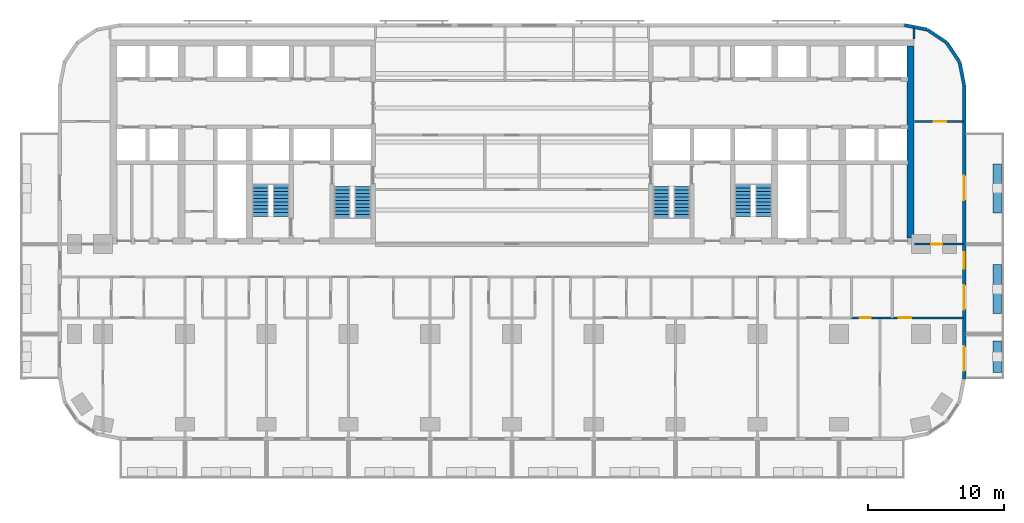
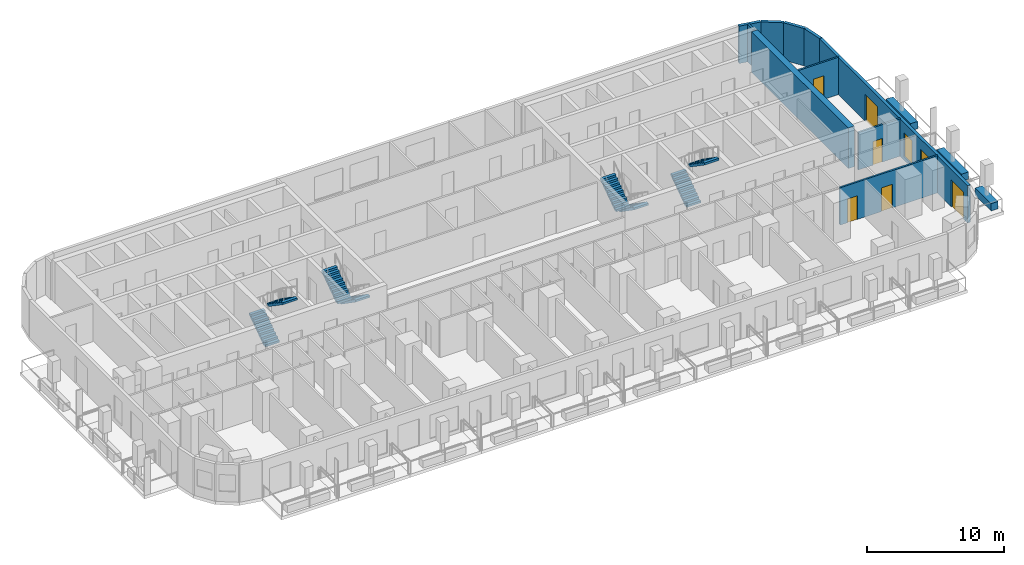
# One storey, part 10 of 15: 13 walls, 8 stair flights, 7 doors, 1 window, 8 openings, 4 elements without a shape of their own.
"""IFC4 building model written with IfcOpenShell, lengths in metres."""

import ifcopenshell
import ifcopenshell.guid

model = None  # the IFC model being written
_history = None  # IfcOwnerHistory: only IFC2X3 demands one
_inside = {}  # id of a spatial element -> (the spatial element, [elements in it])
_under = {}  # id of a project, library or spatial element -> (it, [spatial elements below it])
_declared = {}  # id of a project -> (the project, [libraries it declares])
_typed = {}  # id of a type object -> (the type object, [elements of that type])
_made_of = {}  # id of a material, layer set ... -> (it, [elements and type objects made of it])


def new_model(schema):
    """Start an empty IFC model of exactly this schema.

    Asked for "IFC4X3", IfcOpenShell would pick the latest addendum, in which some entities
    have other attributes; the version numbers below select the first issue.
    IFC2X3 requires an IfcOwnerHistory on every rooted entity: one is made here for all.
    """
    global model, _history
    if schema == "IFC4X3":
        model = ifcopenshell.file(schema_version=(4, 3, 0, 0))
    else:
        model = ifcopenshell.file(schema=schema)
    _inside.clear()
    _under.clear()
    _declared.clear()
    _typed.clear()
    _made_of.clear()
    _history = None
    if model.schema == "IFC2X3":
        org = make("IfcOrganization", Name="unknown")
        user = make(
            "IfcPersonAndOrganization",
            ThePerson=make("IfcPerson", FamilyName="unknown"),
            TheOrganization=org,
        )
        app = make(
            "IfcApplication",
            ApplicationDeveloper=org,
            Version="unknown",
            ApplicationFullName="unknown",
            ApplicationIdentifier="unknown",
        )
        _history = make(
            "IfcOwnerHistory",
            OwningUser=user,
            OwningApplication=app,
            ChangeAction="ADDED",
            CreationDate=0,
        )
    return model


def make(cls, **values):
    """One entity of the class cls with the attributes given. An attribute that is None is left unset."""
    return model.create_entity(
        cls, **{name: value for name, value in values.items() if value is not None}
    )


def rooted(cls, **values):
    """An entity with a GlobalId (a new one), such as an element, a storey or a relation."""
    return make(cls, GlobalId=ifcopenshell.guid.new(), OwnerHistory=_history, **values)


def si_unit(unit_type, name, prefix=None):
    """IfcSIUnit, for example si_unit("LENGTHUNIT", "METRE", prefix="MILLI")."""
    return make("IfcSIUnit", UnitType=unit_type, Prefix=prefix, Name=name)


def assignment(units):
    """IfcUnitAssignment: the units of a project."""
    return None if units is None else make("IfcUnitAssignment", Units=units)


def point(xyz):
    """IfcCartesianPoint."""
    return None if xyz is None else make("IfcCartesianPoint", Coordinates=xyz)


def direction(xyz):
    """IfcDirection."""
    return None if xyz is None else make("IfcDirection", DirectionRatios=xyz)


def frame(location, z_axis=None, x_axis=None):
    """IfcAxis2Placement3D, a coordinate frame: its origin and axes. An axis left out is left unset."""
    return make(
        "IfcAxis2Placement3D",
        Location=point(location),
        Axis=direction(z_axis),
        RefDirection=direction(x_axis),
    )


def frame_2d(location, x_axis=None):
    """IfcAxis2Placement2D, a coordinate frame in the plane: its origin and x axis."""
    return make(
        "IfcAxis2Placement2D", Location=point(location), RefDirection=direction(x_axis)
    )


def origin():
    """The frame at (0, 0, 0) with its axes left unset."""
    return frame((0.0, 0.0, 0.0))


def place(relative_to, where):
    """IfcLocalPlacement: puts the frame where relative to a parent placement (None: the world)."""
    return make(
        "IfcLocalPlacement", PlacementRelTo=relative_to, RelativePlacement=where
    )


def context(
    kind, dimensions, precision=None, world=None, true_north=None, identifier=None
):
    """IfcGeometricRepresentationContext, for example the 3D "Model" context."""
    return make(
        "IfcGeometricRepresentationContext",
        ContextIdentifier=identifier,
        ContextType=kind,
        CoordinateSpaceDimension=dimensions,
        Precision=precision,
        WorldCoordinateSystem=world,
        TrueNorth=true_north,
    )


def subcontext(parent, identifier, kind, view, scale=None):
    """IfcGeometricRepresentationSubContext, for example "Body" below "Model"."""
    return make(
        "IfcGeometricRepresentationSubContext",
        ContextIdentifier=identifier,
        ContextType=kind,
        ParentContext=parent,
        TargetScale=scale,
        TargetView=view,
    )


def project(units=None, contexts=None):
    """IfcProject with its units and contexts."""
    return rooted(
        "IfcProject",
        Name="project",
        RepresentationContexts=contexts,
        UnitsInContext=assignment(units),
    )


def spatial(cls, under=None, at=None, **own):
    """A site, building, storey or space (cls), placed at a placement, below another one or the project."""
    s = rooted(cls, ObjectPlacement=at, **own)
    if under is not None:
        _under.setdefault(under.id(), (under, []))[1].append(s)
    return s


def polyline(points):
    """IfcPolyline through the points."""
    return make("IfcPolyline", Points=[point(p) for p in points])


def profile(cls, at=None, kind="AREA", **sizes):
    """A parametric profile (cls). Its sizes go by their IFC names, for example OverallWidth=200.0."""
    return make(cls, ProfileType=kind, Position=at, **sizes)


def rectangle(**sizes):
    """IfcRectangleProfileDef."""
    return profile("IfcRectangleProfileDef", **sizes)


def outline(outer, holes=None, kind="AREA"):
    """IfcArbitraryClosedProfileDef: a profile drawn as a closed curve; with holes, ...WithVoids."""
    if holes is None:
        return make("IfcArbitraryClosedProfileDef", ProfileType=kind, OuterCurve=outer)
    return make(
        "IfcArbitraryProfileDefWithVoids",
        ProfileType=kind,
        OuterCurve=outer,
        InnerCurves=holes,
    )


def extrude(swept, where, along, depth):
    """IfcExtrudedAreaSolid: the profile swept, set in the frame where, extruded along a direction by depth."""
    return make(
        "IfcExtrudedAreaSolid",
        SweptArea=swept,
        Position=where,
        ExtrudedDirection=direction(along),
        Depth=depth,
    )


def shape(context_of_items, identifier, shape_type, items):
    """IfcShapeRepresentation: the items that make up one representation, for example the "Body"."""
    return make(
        "IfcShapeRepresentation",
        ContextOfItems=context_of_items,
        RepresentationIdentifier=identifier,
        RepresentationType=shape_type,
        Items=items,
    )


def material(Name=None, Category=None):
    """IfcMaterial."""
    return make("IfcMaterial", Name=Name, Category=Category)


def layer(
    of_material, thickness, ventilated=None, Name=None, Category=None, Priority=None
):
    """IfcMaterialLayer: one layer of a wall or slab, of a material (None: an air gap)."""
    return make(
        "IfcMaterialLayer",
        Material=of_material,
        LayerThickness=thickness,
        IsVentilated=ventilated,
        Name=Name,
        Category=Category,
        Priority=Priority,
    )


def layer_set(layers, Name=None):
    """IfcMaterialLayerSet."""
    return make("IfcMaterialLayerSet", MaterialLayers=layers, LayerSetName=Name)


def made_of(thing, what):
    """Note that an element or type object is made of a material, layer set ...; save() writes the relation."""
    if what is not None:
        _made_of.setdefault(what.id(), (what, []))[1].append(thing)
    return thing


def type_object(cls, material=None, **own):
    """A type object (cls), such as IfcWallType, which elements share."""
    return made_of(rooted(cls, **own), material)


def element(
    cls,
    number,
    at=None,
    inside=None,
    cuts=None,
    type_object=None,
    material=None,
    context=None,
    identifier="Body",
    shape_type=None,
    held_by="IfcProductDefinitionShape",
    body=None,
    shapes=None,
    **own,
):
    """One element of the class cls, such as IfcWall. Its Tag is "e" and its number.

    at: its placement. inside: the storey or other place that contains it. cuts: it is an
    opening in that element (IfcRelVoidsElement). A single representation is given by context,
    identifier, shape_type and body (its items); several are given by shapes. held_by: the class
    of the entity that holds the representations. save() writes the other relations.
    """
    e = rooted(cls, Tag="e%d" % number, ObjectPlacement=at, **own)
    if body is not None:
        shapes = [shape(context, identifier, shape_type, body)]
    if shapes is not None:
        e.Representation = make(held_by, Representations=shapes)
    if inside is not None:
        _inside.setdefault(inside.id(), (inside, []))[1].append(e)
    if cuts is not None:
        rooted(
            "IfcRelVoidsElement", RelatingBuildingElement=cuts, RelatedOpeningElement=e
        )
    if type_object is not None:
        _typed.setdefault(type_object.id(), (type_object, []))[1].append(e)
    return made_of(e, material)


def fill(opening, filler):
    """IfcRelFillsElement: the door or window that sits in an opening."""
    return rooted(
        "IfcRelFillsElement",
        RelatingOpeningElement=opening,
        RelatedBuildingElement=filler,
    )


def aggregate(whole, parts):
    """IfcRelAggregates: a whole, such as a stair, and the parts it consists of."""
    return rooted("IfcRelAggregates", RelatingObject=whole, RelatedObjects=parts)


def save(model, path):
    """Write the relations noted so far, then the file.

    IfcRelAggregates (storeys below a building ...), IfcRelContainedInSpatialStructure (elements
    in a storey), IfcRelDefinesByType, IfcRelAssociatesMaterial and IfcRelDeclares: one each for
    every whole, place, type object, material and project.
    """
    for whole, parts in _under.values():
        aggregate(whole, parts)
    for where, things in _inside.values():
        rooted(
            "IfcRelContainedInSpatialStructure",
            RelatedElements=things,
            RelatingStructure=where,
        )
    for kind, things in _typed.values():
        rooted("IfcRelDefinesByType", RelatedObjects=things, RelatingType=kind)
    for what, things in _made_of.values():
        rooted("IfcRelAssociatesMaterial", RelatedObjects=things, RelatingMaterial=what)
    for by, libraries in _declared.values():
        rooted("IfcRelDeclares", RelatingContext=by, RelatedDefinitions=libraries)
    model.write(path)


model = new_model("IFC4")

# Units and contexts
model_context = context("Model", 3, precision=1e-05, world=origin(), true_north=direction((0.0, 1.0)))
body_context = subcontext(model_context, "Body", "Model", "MODEL_VIEW")
ifc_project = project(units=[si_unit("LENGTHUNIT", "METRE"), si_unit("AREAUNIT", "SQUARE_METRE"), si_unit("VOLUMEUNIT", "CUBIC_METRE"), si_unit("PLANEANGLEUNIT", "RADIAN"), si_unit("MASSUNIT", "GRAM", prefix="KILO")], contexts=[model_context])

# Site, building, storey
site_placement = place(None, origin())
site = spatial("IfcSite", under=ifc_project, at=site_placement, CompositionType="ELEMENT")
building_placement = place(site_placement, origin())
building = spatial("IfcBuilding", under=site, at=building_placement, Name="Torana Hotel and Residences", CompositionType="ELEMENT")
storey_placement = place(building_placement, frame((0.0, 0.0, 49.199951171875)))
storey = spatial("IfcBuildingStorey", under=building, at=storey_placement, Name="L11", CompositionType="ELEMENT", Elevation=49.199951171875)

# Walls
ifc_material_1 = material(Name="Concrete C80/95", Category="concrete")
ifc_layer_1 = layer(ifc_material_1, 0.5)
ifc_layer_set_1 = layer_set([ifc_layer_1], Name="CORE WALL 500 C80/95")
wall_type_1 = type_object("IfcWallType", Name="CORE WALL 500 C80/95", PredefinedType="SHEAR", material=ifc_layer_set_1)
wall_1_placement = place(storey_placement, frame((29.25, -14.550048828125, 0.0), z_axis=(0.0, 0.0, 1.0), x_axis=(0.0, 1.0, 0.0)))
element("IfcWall", 1, at=wall_1_placement, inside=storey, type_object=wall_type_1, Name="Core wall E outer", PredefinedType="SHEAR", context=body_context, shape_type="SweptSolid", body=[
    extrude(rectangle(XDim=14.10009765625, YDim=0.5, at=frame_2d((7.050048828125, 0.0))), origin(), (0.0, 0.0, 1.0), 3.60009765625),
])
ifc_material_2 = material(Name="Black aluminium composite panel", Category="aluminium")
ifc_layer_2 = layer(ifc_material_2, 0.00390625, Name="Cladding", Category="cladding")
ifc_material_3 = material(Name="Ventilated air cavity")
ifc_layer_3 = layer(ifc_material_3, 0.0400390625, Name="Ventilated cavity", Category="cavity")
ifc_material_4 = material(Name="Mineral wool insulation")
ifc_layer_4 = layer(ifc_material_4, 0.090087890625, Name="Insulation", Category="insulation")
ifc_material_5 = material(Name="Steel S280GD", Category="steel")
ifc_layer_5 = layer(ifc_material_5, 0.092041015625, Name="Steel stud frame", Category="structure")
ifc_material_6 = material(Name="Fire rated plasterboard")
ifc_layer_6 = layer(ifc_material_6, 0.011962890625, Name="Inner board", Category="finish")
ifc_layer_7 = layer(ifc_material_6, 0.011962890625, Name="Second board", Category="finish")
ifc_layer_set_2 = layer_set([ifc_layer_2, ifc_layer_3, ifc_layer_4, ifc_layer_5, ifc_layer_6, ifc_layer_7], Name="EW1 EXTERNAL WALL BLACK METAL CLAD 250")
wall_type_2 = type_object("IfcWallType", Name="EW1 EXTERNAL WALL BLACK METAL CLAD 250", PredefinedType="SOLIDWALL", material=ifc_layer_set_2)
wall_2_placement = place(storey_placement, frame((33.172607421875, -3.30029296875, 0.0), z_axis=(0.0, 0.0, 1.0), x_axis=(-0.19513878023, 0.980775640221, 0.0)))
element("IfcWall", 2, at=wall_2_placement, inside=storey, type_object=wall_type_2, Name="External wall L11 e0.0", PredefinedType="SOLIDWALL", context=body_context, shape_type="SweptSolid", body=[
    extrude(rectangle(XDim=1.681396484375, YDim=0.25, at=frame_2d((0.8408203125, 0.0))), origin(), (0.0, 0.0, 1.0), 3.320068359375),
])
for number, where, z_axis, x_axis, name in (
    (3, (32.825927734375, -1.60595703125, 0.0), (0.0, 0.0, 1.0), (-0.55555029066, 0.831482937015, 0.0), "External wall L11 e0.1"),
    (4, (31.87109375, -0.1943359375, 0.0), (0.0, 0.0, 1.0), (-0.831482937015, 0.55555029066, 0.0), "External wall L11 e0.2"),
):
    element("IfcWall", number, at=place(storey_placement, frame(where, z_axis=z_axis, x_axis=x_axis)), inside=storey, type_object=wall_type_2, Name=name, PredefinedType="SOLIDWALL", context=body_context, shape_type="SweptSolid", body=[
        extrude(rectangle(XDim=1.65625, YDim=0.25, at=frame_2d((0.828125, 0.0))), origin(), (0.0, 0.0, 1.0), 3.320068359375),
    ])
wall_3_placement = place(storey_placement, frame((30.448974609375, 0.74462890625, 0.0), z_axis=(0.0, 0.0, 1.0), x_axis=(-0.980803419081, 0.194999110559, 0.0)))
element("IfcWall", 5, at=wall_3_placement, inside=storey, type_object=wall_type_2, Name="External wall L11 e0.3", PredefinedType="SOLIDWALL", context=body_context, shape_type="SweptSolid", body=[
    extrude(rectangle(XDim=1.681396484375, YDim=0.25, at=frame_2d((0.8408203125, 0.0))), origin(), (0.0, 0.0, 1.0), 3.320068359375),
])

# Wall, openings, doors, window
wall_4_placement = place(storey_placement, frame((33.175048828125, -24.87548828125, 0.0), z_axis=(0.0, 0.0, 1.0), x_axis=(0.0, 1.0, 0.0)))
wall_4 = element("IfcWall", 6, at=wall_4_placement, inside=storey, type_object=wall_type_2, Name="External wall L11 e0.19", PredefinedType="SOLIDWALL", context=body_context, shape_type="SweptSolid", body=[
    extrude(rectangle(XDim=21.55078125, YDim=0.25, at=frame_2d((10.775390625, 0.0))), origin(), (0.0, 0.0, 1.0), 3.320068359375),
])
opening_1_placement = place(wall_4_placement, frame((0.575439453125, 0.0, 0.0)))
opening_1 = element("IfcOpeningElement", 7, at=opening_1_placement, cuts=wall_4, Name="Opening L11-E11", PredefinedType="OPENING", context=body_context, shape_type="SweptSolid", body=[
    extrude(rectangle(XDim=1.800048828125, YDim=2.39990234375, at=frame_2d((0.89990234375, 1.199951171875))), frame((0.0, 0.135009765625, 0.0), z_axis=(0.0, -1.0, 0.0), x_axis=(1.0, 0.0, 0.0)), (0.0, 0.0, 1.0), 0.27001953125),
])
opening_2_placement = place(wall_4_placement, frame((5.075439453125, 0.0, 0.0)))
opening_2 = element("IfcOpeningElement", 8, at=opening_2_placement, cuts=wall_4, Name="Opening L11-E12", PredefinedType="OPENING", context=body_context, shape_type="SweptSolid", body=[
    extrude(rectangle(XDim=1.800048828125, YDim=2.39990234375, at=frame_2d((0.89990234375, 1.199951171875))), frame((0.0, 0.135009765625, 0.0), z_axis=(0.0, -1.0, 0.0), x_axis=(1.0, 0.0, 0.0)), (0.0, 0.0, 1.0), 0.27001953125),
])
opening_3_placement = place(wall_4_placement, frame((8.075439453125, 0.0, 0.300048828125)))
opening_3 = element("IfcOpeningElement", 9, at=opening_3_placement, cuts=wall_4, Name="Opening W7", PredefinedType="OPENING", context=body_context, shape_type="SweptSolid", body=[
    extrude(rectangle(XDim=1.199951171875, YDim=2.10009765625, at=frame_2d((0.60009765625, 1.050048828125))), frame((0.0, 0.135009765625, 0.0), z_axis=(0.0, -1.0, 0.0), x_axis=(1.0, 0.0, 0.0)), (0.0, 0.0, 1.0), 0.27001953125),
])
opening_4_placement = place(wall_4_placement, frame((13.100341796875, 0.0, 0.0)))
opening_4 = element("IfcOpeningElement", 10, at=opening_4_placement, cuts=wall_4, Name="Opening L11-E13", PredefinedType="OPENING", context=body_context, shape_type="SweptSolid", body=[
    extrude(rectangle(XDim=1.800048828125, YDim=2.39990234375, at=frame_2d((0.89990234375, 1.199951171875))), frame((0.0, 0.135009765625, 0.0), z_axis=(0.0, -1.0, 0.0), x_axis=(1.0, 0.0, 0.0)), (0.0, 0.0, 1.0), 0.27001953125),
])
ifc_material_7 = material(Name="Dark glass in black aluminium frame", Category="aluminium")
door_type_1 = type_object("IfcDoorType", Name="DB1 BALCONY DOOR 1800x2400", OperationType="DOUBLE_DOOR_SINGLE_SWING", PredefinedType="DOOR", material=ifc_material_7)
door_1_placement = place(opening_1_placement, origin())
door_1 = element("IfcDoor", 11, at=door_1_placement, inside=storey, type_object=door_type_1, Name="Balcony door L11", OperationType="DOUBLE_DOOR_SINGLE_SWING", OverallHeight=2.39990234375, OverallWidth=1.800048828125, PredefinedType="DOOR", context=body_context, shape_type="SweptSolid", body=[
    extrude(rectangle(XDim=1.800048828125, YDim=2.39990234375, at=frame_2d((0.89990234375, 1.199951171875))), frame((0.0, 0.02490234375, 0.0), z_axis=(0.0, -1.0, 0.0), x_axis=(1.0, 0.0, 0.0)), (0.0, 0.0, 1.0), 0.050048828125),
])
fill(opening_1, door_1)
door_2_placement = place(opening_2_placement, origin())
door_2 = element("IfcDoor", 12, at=door_2_placement, inside=storey, type_object=door_type_1, Name="Balcony door L11", OperationType="DOUBLE_DOOR_SINGLE_SWING", OverallHeight=2.39990234375, OverallWidth=1.800048828125, PredefinedType="DOOR", context=body_context, shape_type="SweptSolid", body=[
    extrude(rectangle(XDim=1.800048828125, YDim=2.39990234375, at=frame_2d((0.89990234375, 1.199951171875))), frame((0.0, 0.02490234375, 0.0), z_axis=(0.0, -1.0, 0.0), x_axis=(1.0, 0.0, 0.0)), (0.0, 0.0, 1.0), 0.050048828125),
])
fill(opening_2, door_2)
door_3_placement = place(opening_4_placement, origin())
door_3 = element("IfcDoor", 13, at=door_3_placement, inside=storey, type_object=door_type_1, Name="Balcony door L11", OperationType="DOUBLE_DOOR_SINGLE_SWING", OverallHeight=2.39990234375, OverallWidth=1.800048828125, PredefinedType="DOOR", context=body_context, shape_type="SweptSolid", body=[
    extrude(rectangle(XDim=1.800048828125, YDim=2.39990234375, at=frame_2d((0.89990234375, 1.199951171875))), frame((0.0, 0.02490234375, 0.0), z_axis=(0.0, -1.0, 0.0), x_axis=(1.0, 0.0, 0.0)), (0.0, 0.0, 1.0), 0.050048828125),
])
fill(opening_4, door_3)
ifc_material_8 = material(Name="Dark glass in black aluminium frame", Category="aluminium")
window_type = type_object("IfcWindowType", Name="W7 HOTEL CORRIDOR WINDOW 1200x2100", PartitioningType="SINGLE_PANEL", PredefinedType="WINDOW", material=ifc_material_8)
window_placement = place(opening_3_placement, origin())
window = element("IfcWindow", 14, at=window_placement, inside=storey, type_object=window_type, Name="Window L11", OverallHeight=2.10009765625, OverallWidth=1.199951171875, PartitioningType="SINGLE_PANEL", PredefinedType="WINDOW", context=body_context, shape_type="SweptSolid", body=[
    extrude(rectangle(XDim=1.199951171875, YDim=2.10009765625, at=frame_2d((0.60009765625, 1.050048828125))), frame((0.0, 0.030029296875, 0.0), z_axis=(0.0, -1.0, 0.0), x_axis=(1.0, 0.0, 0.0)), (0.0, 0.0, 1.0), 0.06005859375),
])
fill(opening_3, window)

# Wall, opening, door
ifc_material_9 = material(Name="Gypsum plaster")
ifc_layer_8 = layer(ifc_material_9, 0.014892578125, Name="Plaster", Category="finish")
ifc_material_10 = material(Name="Concrete blockwork", Category="masonry")
ifc_layer_9 = layer(ifc_material_10, 0.1201171875, Name="Blockwork", Category="structure")
ifc_layer_10 = layer(ifc_material_9, 0.014892578125, Name="Plaster", Category="finish")
ifc_layer_set_3 = layer_set([ifc_layer_8, ifc_layer_9, ifc_layer_10], Name="FIRE PARTITION 150 BLOCKWORK")
wall_type_3 = type_object("IfcWallType", Name="FIRE PARTITION 150 BLOCKWORK", PredefinedType="PARTITIONING", material=ifc_layer_set_3)
wall_5_placement = place(storey_placement, frame((29.550048828125, -15.0, 0.0), z_axis=(0.0, 0.0, 1.0), x_axis=(1.0, 0.0, 0.0)))
wall_5 = element("IfcWall", 15, at=wall_5_placement, inside=storey, type_object=wall_type_3, Name="Partition L11", PredefinedType="PARTITIONING", context=body_context, shape_type="SweptSolid", body=[
    extrude(rectangle(XDim=3.570068359375, YDim=0.14990234375, at=frame_2d((1.78515625, 0.0))), origin(), (0.0, 0.0, 1.0), 3.320068359375),
])
opening_5_placement = place(wall_5_placement, frame((1.205078125, 0.0, 0.0)))
opening_5 = element("IfcOpeningElement", 16, at=opening_5_placement, cuts=wall_5, Name="Opening L11-54", PredefinedType="OPENING", context=body_context, shape_type="SweptSolid", body=[
    extrude(rectangle(XDim=0.800048828125, YDim=2.10009765625, at=frame_2d((0.39990234375, 1.050048828125))), frame((0.0, 0.0849609375, 0.0), z_axis=(0.0, -1.0, 0.0), x_axis=(1.0, 0.0, 0.0)), (0.0, 0.0, 1.0), 0.169921875),
])
ifc_material_11 = material(Name="Steel S235", Category="steel")
door_type_2 = type_object("IfcDoorType", Name="STORE FIRE DOOR D16 800x2100", OperationType="SINGLE_SWING_LEFT", PredefinedType="DOOR", material=ifc_material_11)
door_4_placement = place(opening_5_placement, origin())
door_4 = element("IfcDoor", 17, at=door_4_placement, inside=storey, type_object=door_type_2, Name="Door L11", OperationType="SINGLE_SWING_RIGHT", OverallHeight=2.10009765625, OverallWidth=0.800048828125, PredefinedType="DOOR", context=body_context, shape_type="SweptSolid", body=[
    extrude(rectangle(XDim=0.800048828125, YDim=2.10009765625, at=frame_2d((0.39990234375, 1.050048828125))), frame((0.0, 0.02490234375, 0.0), z_axis=(0.0, -1.0, 0.0), x_axis=(1.0, 0.0, 0.0)), (0.0, 0.0, 1.0), 0.050048828125),
])
fill(opening_5, door_4)

# Wall
ifc_material_12 = material(Name="Gypsum plasterboard")
ifc_layer_11 = layer(ifc_material_12, 0.012451171875, Name="Plasterboard", Category="finish")
ifc_layer_12 = layer(ifc_material_12, 0.012451171875, Name="Plasterboard", Category="finish")
ifc_layer_13 = layer(ifc_material_5, 0.10009765625, Name="Steel studs with mineral wool", Category="insulation")
ifc_layer_14 = layer(ifc_material_12, 0.012451171875, Name="Plasterboard", Category="finish")
ifc_layer_15 = layer(ifc_material_12, 0.012451171875, Name="Plasterboard", Category="finish")
ifc_layer_set_4 = layer_set([ifc_layer_11, ifc_layer_12, ifc_layer_13, ifc_layer_14, ifc_layer_15], Name="PARTITION 150 PLASTERBOARD")
wall_type_4 = type_object("IfcWallType", Name="PARTITION 150 PLASTERBOARD", PredefinedType="PARTITIONING", material=ifc_layer_set_4)
wall_6_placement = place(storey_placement, frame((29.5, 0.050048828125, 0.0), z_axis=(0.0, 0.0, 1.0), x_axis=(0.0, 1.0, 0.0)))
element("IfcWall", 18, at=wall_6_placement, inside=storey, type_object=wall_type_4, Name="Partition L11", PredefinedType="PARTITIONING", context=body_context, shape_type="SweptSolid", body=[
    extrude(rectangle(XDim=0.8271484375, YDim=0.14990234375, at=frame_2d((0.41357421875, 0.0))), origin(), (0.0, 0.0, 1.0), 3.320068359375),
])

# Wall, openings, doors
wall_7_placement = place(storey_placement, frame((24.89990234375, -20.39990234375, 0.0), z_axis=(0.0, 0.0, 1.0), x_axis=(1.0, 0.0, 0.0)))
wall_7 = element("IfcWall", 19, at=wall_7_placement, inside=storey, type_object=wall_type_4, Name="Partition L11", PredefinedType="PARTITIONING", context=body_context, shape_type="SweptSolid", body=[
    extrude(rectangle(XDim=8.22021484375, YDim=0.14990234375, at=frame_2d((4.110107421875, 0.0))), origin(), (0.0, 0.0, 1.0), 3.320068359375),
])
opening_6_placement = place(wall_7_placement, frame((0.6298828125, 0.0, 0.0)))
opening_6 = element("IfcOpeningElement", 20, at=opening_6_placement, cuts=wall_7, Name="Opening L11-86", PredefinedType="OPENING", context=body_context, shape_type="SweptSolid", body=[
    extrude(rectangle(XDim=0.800048828125, YDim=2.10009765625, at=frame_2d((0.39990234375, 1.050048828125))), frame((0.0, 0.0849609375, 0.0), z_axis=(0.0, -1.0, 0.0), x_axis=(1.0, 0.0, 0.0)), (0.0, 0.0, 1.0), 0.169921875),
])
opening_7_placement = place(wall_7_placement, frame((3.47998046875, 0.0, 0.0)))
opening_7 = element("IfcOpeningElement", 21, at=opening_7_placement, cuts=wall_7, Name="Opening L11-87", PredefinedType="OPENING", context=body_context, shape_type="SweptSolid", body=[
    extrude(rectangle(XDim=0.89990234375, YDim=2.10009765625, at=frame_2d((0.449951171875, 1.050048828125))), frame((0.0, 0.0849609375, 0.0), z_axis=(0.0, -1.0, 0.0), x_axis=(1.0, 0.0, 0.0)), (0.0, 0.0, 1.0), 0.169921875),
])
ifc_material_13 = material(Name="Timber door, painted", Category="wood")
door_type_3 = type_object("IfcDoorType", Name="BATH DOOR D13 800x2100", OperationType="SINGLE_SWING_LEFT", PredefinedType="DOOR", material=ifc_material_13)
door_5_placement = place(opening_6_placement, origin())
door_5 = element("IfcDoor", 22, at=door_5_placement, inside=storey, type_object=door_type_3, Name="Door L11", OperationType="SINGLE_SWING_RIGHT", OverallHeight=2.10009765625, OverallWidth=0.800048828125, PredefinedType="DOOR", context=body_context, shape_type="SweptSolid", body=[
    extrude(rectangle(XDim=0.800048828125, YDim=2.10009765625, at=frame_2d((0.39990234375, 1.050048828125))), frame((0.0, 0.02490234375, 0.0), z_axis=(0.0, -1.0, 0.0), x_axis=(1.0, 0.0, 0.0)), (0.0, 0.0, 1.0), 0.050048828125),
])
fill(opening_6, door_5)
ifc_material_14 = material(Name="Timber door, oiled ash", Category="wood")
door_type_4 = type_object("IfcDoorType", Name="ROOM DOOR D7 900x2100", OperationType="SINGLE_SWING_LEFT", PredefinedType="DOOR", material=ifc_material_14)
door_6_placement = place(opening_7_placement, origin())
door_6 = element("IfcDoor", 23, at=door_6_placement, inside=storey, type_object=door_type_4, Name="Door L11", OperationType="SINGLE_SWING_RIGHT", OverallHeight=2.10009765625, OverallWidth=0.89990234375, PredefinedType="DOOR", context=body_context, shape_type="SweptSolid", body=[
    extrude(rectangle(XDim=0.89990234375, YDim=2.10009765625, at=frame_2d((0.449951171875, 1.050048828125))), frame((0.0, 0.02490234375, 0.0), z_axis=(0.0, -1.0, 0.0), x_axis=(1.0, 0.0, 0.0)), (0.0, 0.0, 1.0), 0.050048828125),
])
fill(opening_7, door_6)

# Wall, opening, door
wall_8_placement = place(storey_placement, frame((29.550048828125, -6.0, 0.0), z_axis=(0.0, 0.0, 1.0), x_axis=(1.0, 0.0, 0.0)))
wall_8 = element("IfcWall", 24, at=wall_8_placement, inside=storey, type_object=wall_type_4, Name="Partition L11", PredefinedType="PARTITIONING", context=body_context, shape_type="SweptSolid", body=[
    extrude(rectangle(XDim=3.570068359375, YDim=0.14990234375, at=frame_2d((1.78515625, 0.0))), origin(), (0.0, 0.0, 1.0), 3.320068359375),
])
opening_8_placement = place(wall_8_placement, frame((1.39990234375, 0.0, 0.0)))
opening_8 = element("IfcOpeningElement", 25, at=opening_8_placement, cuts=wall_8, Name="Opening L11-90", PredefinedType="OPENING", context=body_context, shape_type="SweptSolid", body=[
    extrude(rectangle(XDim=0.89990234375, YDim=2.10009765625, at=frame_2d((0.449951171875, 1.050048828125))), frame((0.0, 0.0849609375, 0.0), z_axis=(0.0, -1.0, 0.0), x_axis=(1.0, 0.0, 0.0)), (0.0, 0.0, 1.0), 0.169921875),
])
door_7_placement = place(opening_8_placement, origin())
door_7 = element("IfcDoor", 26, at=door_7_placement, inside=storey, type_object=door_type_4, Name="Door L11", OperationType="SINGLE_SWING_LEFT", OverallHeight=2.10009765625, OverallWidth=0.89990234375, PredefinedType="DOOR", context=body_context, shape_type="SweptSolid", body=[
    extrude(rectangle(XDim=0.89990234375, YDim=2.10009765625, at=frame_2d((0.449951171875, 1.050048828125))), frame((0.0, 0.02490234375, 0.0), z_axis=(0.0, -1.0, 0.0), x_axis=(1.0, 0.0, 0.0)), (0.0, 0.0, 1.0), 0.050048828125),
])
fill(opening_8, door_7)

# Walls
ifc_material_15 = material(Name="Concrete C40/50 precast", Category="concrete")
ifc_layer_16 = layer(ifc_material_15, 0.10009765625, Name="Planter shell", Category="structure")
ifc_material_16 = material(Name="Root resistant membrane")
ifc_layer_17 = layer(ifc_material_16, 0.00390625, Name="Waterproofing membrane", Category="membrane")
ifc_material_17 = material(Name="Drainage board with filter fleece")
ifc_layer_18 = layer(ifc_material_17, 0.02001953125, Name="Drainage board", Category="drainage")
ifc_material_18 = material(Name="Growing medium")
ifc_layer_19 = layer(ifc_material_18, 0.47607421875, Name="Planting substrate", Category="soil")
ifc_layer_set_5 = layer_set([ifc_layer_16, ifc_layer_17, ifc_layer_18, ifc_layer_19], Name="PL1 BALCONY PLANTER 600")
wall_type_5 = type_object("IfcWallType", Name="PL1 BALCONY PLANTER 600", PredefinedType="USERDEFINED", material=ifc_layer_set_5)
wall_9_placement = place(storey_placement, frame((35.60009765625, -22.10009765625, 0.0), z_axis=(0.0, 0.0, 1.0), x_axis=(0.0, -1.0, 0.0)))
element("IfcWall", 27, at=wall_9_placement, inside=storey, type_object=wall_type_5, Name="Planter 14", ObjectType="PLANTER", PredefinedType="USERDEFINED", context=body_context, shape_type="SweptSolid", body=[
    extrude(rectangle(XDim=2.2998046875, YDim=0.60009765625, at=frame_2d((1.14990234375, 0.0))), origin(), (0.0, 0.0, 1.0), 0.650146484375),
])
wall_10_placement = place(storey_placement, frame((35.60009765625, -16.5, 0.0), z_axis=(0.0, 0.0, 1.0), x_axis=(0.0, -1.0, 0.0)))
element("IfcWall", 28, at=wall_10_placement, inside=storey, type_object=wall_type_5, Name="Planter 15", ObjectType="PLANTER", PredefinedType="USERDEFINED", context=body_context, shape_type="SweptSolid", body=[
    extrude(rectangle(XDim=3.60009765625, YDim=0.60009765625, at=frame_2d((1.800048828125, 0.0))), origin(), (0.0, 0.0, 1.0), 0.650146484375),
])
wall_11_placement = place(storey_placement, frame((35.60009765625, -9.10009765625, 0.0), z_axis=(0.0, 0.0, 1.0), x_axis=(0.0, -1.0, 0.0)))
element("IfcWall", 29, at=wall_11_placement, inside=storey, type_object=wall_type_5, Name="Planter 16", ObjectType="PLANTER", PredefinedType="USERDEFINED", context=body_context, shape_type="SweptSolid", body=[
    extrude(rectangle(XDim=3.599853515625, YDim=0.60009765625, at=frame_2d((1.7998046875, 0.0))), origin(), (0.0, 0.0, 1.0), 0.650146484375),
])

# Stair, stair flights
ifc_material_19 = material(Name="Concrete C40/50 precast", Category="concrete")
stair_type_1 = type_object("IfcStairType", Name="STAIR ST1 HALF TURN 1200", PredefinedType="HALF_TURN_STAIR", material=ifc_material_19)
stair_1_placement = place(storey_placement, origin())
stair_1 = element("IfcStair", 30, at=stair_1_placement, inside=storey, type_object=stair_type_1, Name="Stair ST1 L11", PredefinedType="HALF_TURN_STAIR")
ifc_material_20 = material(Name="Concrete C40/50 precast", Category="concrete")
stair_flight_type = type_object("IfcStairFlightType", Name="STAIR FLIGHT 1200 PRECAST", PredefinedType="STRAIGHT", material=ifc_material_20)
stair_flight_1_placement = place(storey_placement, frame((-10.949951171875, -10.75, 0.0), z_axis=(0.0, 0.0, 1.0), x_axis=(0.0, -1.0, 0.0)))
stair_flight_1 = element("IfcStairFlight", 31, at=stair_flight_1_placement, type_object=stair_flight_type, Name="ST1 flight 1", NumberOfRisers=10, NumberOfTreads=9, PredefinedType="STRAIGHT", RiserHeight=0.18, TreadLength=0.26, context=body_context, shape_type="SweptSolid", body=[
    extrude(outline(polyline([(0.0, 0.0), (0.0, 0.179931640625), (0.260009765625, 0.179931640625), (0.260009765625, 0.360107421875), (0.52001953125, 0.360107421875), (0.52001953125, 0.5400390625), (0.780029296875, 0.5400390625), (0.780029296875, 0.719970703125), (1.0400390625, 0.719970703125), (1.0400390625, 0.89990234375), (1.300048828125, 0.89990234375), (1.300048828125, 1.080078125), (1.56005859375, 1.080078125), (1.56005859375, 1.260009765625), (1.820068359375, 1.260009765625), (1.820068359375, 1.43994140625), (2.080078125, 1.43994140625), (2.080078125, 1.6201171875), (2.340087890625, 1.6201171875), (2.340087890625, 1.800048828125), (2.340087890625, 1.437744140625), (0.263427734375, 0.0), (0.0, 0.0)])), frame((0.0, 0.60009765625, 0.0), z_axis=(0.0, -1.0, 0.0), x_axis=(1.0, 0.0, 0.0)), (0.0, 0.0, 1.0), 1.199951171875),
])
stair_flight_2_placement = place(storey_placement, frame((-12.449951171875, -13.090087890625, 1.800048828125), z_axis=(0.0, 0.0, 1.0), x_axis=(0.0, 1.0, 0.0)))
stair_flight_2 = element("IfcStairFlight", 32, at=stair_flight_2_placement, type_object=stair_flight_type, Name="ST1 flight 2", NumberOfRisers=10, NumberOfTreads=9, PredefinedType="STRAIGHT", RiserHeight=0.18, TreadLength=0.26, context=body_context, shape_type="SweptSolid", body=[
    extrude(outline(polyline([(0.0, 0.0), (0.0, 0.179931640625), (0.260009765625, 0.179931640625), (0.260009765625, 0.360107421875), (0.52001953125, 0.360107421875), (0.52001953125, 0.5400390625), (0.780029296875, 0.5400390625), (0.780029296875, 0.719970703125), (1.0400390625, 0.719970703125), (1.0400390625, 0.89990234375), (1.300048828125, 0.89990234375), (1.300048828125, 1.080078125), (1.56005859375, 1.080078125), (1.56005859375, 1.260009765625), (1.820068359375, 1.260009765625), (1.820068359375, 1.43994140625), (2.080078125, 1.43994140625), (2.080078125, 1.6201171875), (2.340087890625, 1.6201171875), (2.340087890625, 1.800048828125), (2.340087890625, 1.437744140625), (0.263427734375, 0.0), (0.0, 0.0)])), frame((0.0, 0.60009765625, 0.0), z_axis=(0.0, -1.0, 0.0), x_axis=(1.0, 0.0, 0.0)), (0.0, 0.0, 1.0), 1.199951171875),
])
aggregate(stair_1, [stair_flight_1, stair_flight_2])

ifc_material_21 = material(Name="Concrete C40/50 precast", Category="concrete")
stair_type_2 = type_object("IfcStairType", Name="STAIR ST2 HALF TURN 1200", PredefinedType="HALF_TURN_STAIR", material=ifc_material_21)
stair_2_placement = place(storey_placement, origin())
stair_2 = element("IfcStair", 33, at=stair_2_placement, inside=storey, type_object=stair_type_2, Name="Stair ST2 L11", PredefinedType="HALF_TURN_STAIR")
stair_flight_3_placement = place(storey_placement, frame((-18.449951171875, -12.949951171875, 0.0), z_axis=(0.0, 0.0, 1.0), x_axis=(0.0, 1.0, 0.0)))
stair_flight_3 = element("IfcStairFlight", 34, at=stair_flight_3_placement, type_object=stair_flight_type, Name="ST2 flight 1", NumberOfRisers=10, NumberOfTreads=9, PredefinedType="STRAIGHT", RiserHeight=0.18, TreadLength=0.26, context=body_context, shape_type="SweptSolid", body=[
    extrude(outline(polyline([(0.0, 0.0), (0.0, 0.179931640625), (0.260009765625, 0.179931640625), (0.260009765625, 0.360107421875), (0.52001953125, 0.360107421875), (0.52001953125, 0.5400390625), (0.780029296875, 0.5400390625), (0.780029296875, 0.719970703125), (1.0400390625, 0.719970703125), (1.0400390625, 0.89990234375), (1.300048828125, 0.89990234375), (1.300048828125, 1.080078125), (1.56005859375, 1.080078125), (1.56005859375, 1.260009765625), (1.820068359375, 1.260009765625), (1.820068359375, 1.43994140625), (2.080078125, 1.43994140625), (2.080078125, 1.6201171875), (2.340087890625, 1.6201171875), (2.340087890625, 1.800048828125), (2.340087890625, 1.437744140625), (0.263427734375, 0.0), (0.0, 0.0)])), frame((0.0, 0.60009765625, 0.0), z_axis=(0.0, -1.0, 0.0), x_axis=(1.0, 0.0, 0.0)), (0.0, 0.0, 1.0), 1.199951171875),
])
stair_flight_4_placement = place(storey_placement, frame((-16.949951171875, -10.610107421875, 1.800048828125), z_axis=(0.0, 0.0, 1.0), x_axis=(0.0, -1.0, 0.0)))
stair_flight_4 = element("IfcStairFlight", 35, at=stair_flight_4_placement, type_object=stair_flight_type, Name="ST2 flight 2", NumberOfRisers=10, NumberOfTreads=9, PredefinedType="STRAIGHT", RiserHeight=0.18, TreadLength=0.26, context=body_context, shape_type="SweptSolid", body=[
    extrude(outline(polyline([(0.0, 0.0), (0.0, 0.179931640625), (0.260009765625, 0.179931640625), (0.260009765625, 0.360107421875), (0.52001953125, 0.360107421875), (0.52001953125, 0.5400390625), (0.780029296875, 0.5400390625), (0.780029296875, 0.719970703125), (1.0400390625, 0.719970703125), (1.0400390625, 0.89990234375), (1.300048828125, 0.89990234375), (1.300048828125, 1.080078125), (1.56005859375, 1.080078125), (1.56005859375, 1.260009765625), (1.820068359375, 1.260009765625), (1.820068359375, 1.43994140625), (2.080078125, 1.43994140625), (2.080078125, 1.6201171875), (2.340087890625, 1.6201171875), (2.340087890625, 1.800048828125), (2.340087890625, 1.437744140625), (0.263427734375, 0.0), (0.0, 0.0)])), frame((0.0, 0.60009765625, 0.0), z_axis=(0.0, -1.0, 0.0), x_axis=(1.0, 0.0, 0.0)), (0.0, 0.0, 1.0), 1.199951171875),
])
aggregate(stair_2, [stair_flight_3, stair_flight_4])

ifc_material_22 = material(Name="Concrete C40/50 precast", Category="concrete")
stair_type_3 = type_object("IfcStairType", Name="STAIR ST3 HALF TURN 1200", PredefinedType="HALF_TURN_STAIR", material=ifc_material_22)
stair_3_placement = place(storey_placement, origin())
stair_3 = element("IfcStair", 36, at=stair_3_placement, inside=storey, type_object=stair_type_3, Name="Stair ST3 L11", PredefinedType="HALF_TURN_STAIR")
stair_flight_5_placement = place(storey_placement, frame((12.449951171875, -10.75, 0.0), z_axis=(0.0, 0.0, 1.0), x_axis=(0.0, -1.0, 0.0)))
stair_flight_5 = element("IfcStairFlight", 37, at=stair_flight_5_placement, type_object=stair_flight_type, Name="ST3 flight 1", NumberOfRisers=10, NumberOfTreads=9, PredefinedType="STRAIGHT", RiserHeight=0.18, TreadLength=0.26, context=body_context, shape_type="SweptSolid", body=[
    extrude(outline(polyline([(0.0, 0.0), (0.0, 0.179931640625), (0.260009765625, 0.179931640625), (0.260009765625, 0.360107421875), (0.52001953125, 0.360107421875), (0.52001953125, 0.5400390625), (0.780029296875, 0.5400390625), (0.780029296875, 0.719970703125), (1.0400390625, 0.719970703125), (1.0400390625, 0.89990234375), (1.300048828125, 0.89990234375), (1.300048828125, 1.080078125), (1.56005859375, 1.080078125), (1.56005859375, 1.260009765625), (1.820068359375, 1.260009765625), (1.820068359375, 1.43994140625), (2.080078125, 1.43994140625), (2.080078125, 1.6201171875), (2.340087890625, 1.6201171875), (2.340087890625, 1.800048828125), (2.340087890625, 1.437744140625), (0.263427734375, 0.0), (0.0, 0.0)])), frame((0.0, 0.60009765625, 0.0), z_axis=(0.0, -1.0, 0.0), x_axis=(1.0, 0.0, 0.0)), (0.0, 0.0, 1.0), 1.199951171875),
])
stair_flight_6_placement = place(storey_placement, frame((10.949951171875, -13.090087890625, 1.800048828125), z_axis=(0.0, 0.0, 1.0), x_axis=(0.0, 1.0, 0.0)))
stair_flight_6 = element("IfcStairFlight", 38, at=stair_flight_6_placement, type_object=stair_flight_type, Name="ST3 flight 2", NumberOfRisers=10, NumberOfTreads=9, PredefinedType="STRAIGHT", RiserHeight=0.18, TreadLength=0.26, context=body_context, shape_type="SweptSolid", body=[
    extrude(outline(polyline([(0.0, 0.0), (0.0, 0.179931640625), (0.260009765625, 0.179931640625), (0.260009765625, 0.360107421875), (0.52001953125, 0.360107421875), (0.52001953125, 0.5400390625), (0.780029296875, 0.5400390625), (0.780029296875, 0.719970703125), (1.0400390625, 0.719970703125), (1.0400390625, 0.89990234375), (1.300048828125, 0.89990234375), (1.300048828125, 1.080078125), (1.56005859375, 1.080078125), (1.56005859375, 1.260009765625), (1.820068359375, 1.260009765625), (1.820068359375, 1.43994140625), (2.080078125, 1.43994140625), (2.080078125, 1.6201171875), (2.340087890625, 1.6201171875), (2.340087890625, 1.800048828125), (2.340087890625, 1.437744140625), (0.263427734375, 0.0), (0.0, 0.0)])), frame((0.0, 0.60009765625, 0.0), z_axis=(0.0, -1.0, 0.0), x_axis=(1.0, 0.0, 0.0)), (0.0, 0.0, 1.0), 1.199951171875),
])
aggregate(stair_3, [stair_flight_5, stair_flight_6])

ifc_material_23 = material(Name="Concrete C40/50 precast", Category="concrete")
stair_type_4 = type_object("IfcStairType", Name="STAIR ST4 HALF TURN 1200", PredefinedType="HALF_TURN_STAIR", material=ifc_material_23)
stair_4_placement = place(storey_placement, origin())
stair_4 = element("IfcStair", 39, at=stair_4_placement, inside=storey, type_object=stair_type_4, Name="Stair ST4 L11", PredefinedType="HALF_TURN_STAIR")
stair_flight_7_placement = place(storey_placement, frame((16.949951171875, -12.949951171875, 0.0), z_axis=(0.0, 0.0, 1.0), x_axis=(0.0, 1.0, 0.0)))
stair_flight_7 = element("IfcStairFlight", 40, at=stair_flight_7_placement, type_object=stair_flight_type, Name="ST4 flight 1", NumberOfRisers=10, NumberOfTreads=9, PredefinedType="STRAIGHT", RiserHeight=0.18, TreadLength=0.26, context=body_context, shape_type="SweptSolid", body=[
    extrude(outline(polyline([(0.0, 0.0), (0.0, 0.179931640625), (0.260009765625, 0.179931640625), (0.260009765625, 0.360107421875), (0.52001953125, 0.360107421875), (0.52001953125, 0.5400390625), (0.780029296875, 0.5400390625), (0.780029296875, 0.719970703125), (1.0400390625, 0.719970703125), (1.0400390625, 0.89990234375), (1.300048828125, 0.89990234375), (1.300048828125, 1.080078125), (1.56005859375, 1.080078125), (1.56005859375, 1.260009765625), (1.820068359375, 1.260009765625), (1.820068359375, 1.43994140625), (2.080078125, 1.43994140625), (2.080078125, 1.6201171875), (2.340087890625, 1.6201171875), (2.340087890625, 1.800048828125), (2.340087890625, 1.437744140625), (0.263427734375, 0.0), (0.0, 0.0)])), frame((0.0, 0.60009765625, 0.0), z_axis=(0.0, -1.0, 0.0), x_axis=(1.0, 0.0, 0.0)), (0.0, 0.0, 1.0), 1.199951171875),
])
stair_flight_8_placement = place(storey_placement, frame((18.449951171875, -10.610107421875, 1.800048828125), z_axis=(0.0, 0.0, 1.0), x_axis=(0.0, -1.0, 0.0)))
stair_flight_8 = element("IfcStairFlight", 41, at=stair_flight_8_placement, type_object=stair_flight_type, Name="ST4 flight 2", NumberOfRisers=10, NumberOfTreads=9, PredefinedType="STRAIGHT", RiserHeight=0.18, TreadLength=0.26, context=body_context, shape_type="SweptSolid", body=[
    extrude(outline(polyline([(0.0, 0.0), (0.0, 0.179931640625), (0.260009765625, 0.179931640625), (0.260009765625, 0.360107421875), (0.52001953125, 0.360107421875), (0.52001953125, 0.5400390625), (0.780029296875, 0.5400390625), (0.780029296875, 0.719970703125), (1.0400390625, 0.719970703125), (1.0400390625, 0.89990234375), (1.300048828125, 0.89990234375), (1.300048828125, 1.080078125), (1.56005859375, 1.080078125), (1.56005859375, 1.260009765625), (1.820068359375, 1.260009765625), (1.820068359375, 1.43994140625), (2.080078125, 1.43994140625), (2.080078125, 1.6201171875), (2.340087890625, 1.6201171875), (2.340087890625, 1.800048828125), (2.340087890625, 1.437744140625), (0.263427734375, 0.0), (0.0, 0.0)])), frame((0.0, 0.60009765625, 0.0), z_axis=(0.0, -1.0, 0.0), x_axis=(1.0, 0.0, 0.0)), (0.0, 0.0, 1.0), 1.199951171875),
])
aggregate(stair_4, [stair_flight_7, stair_flight_8])

save(model, "model.ifc")
